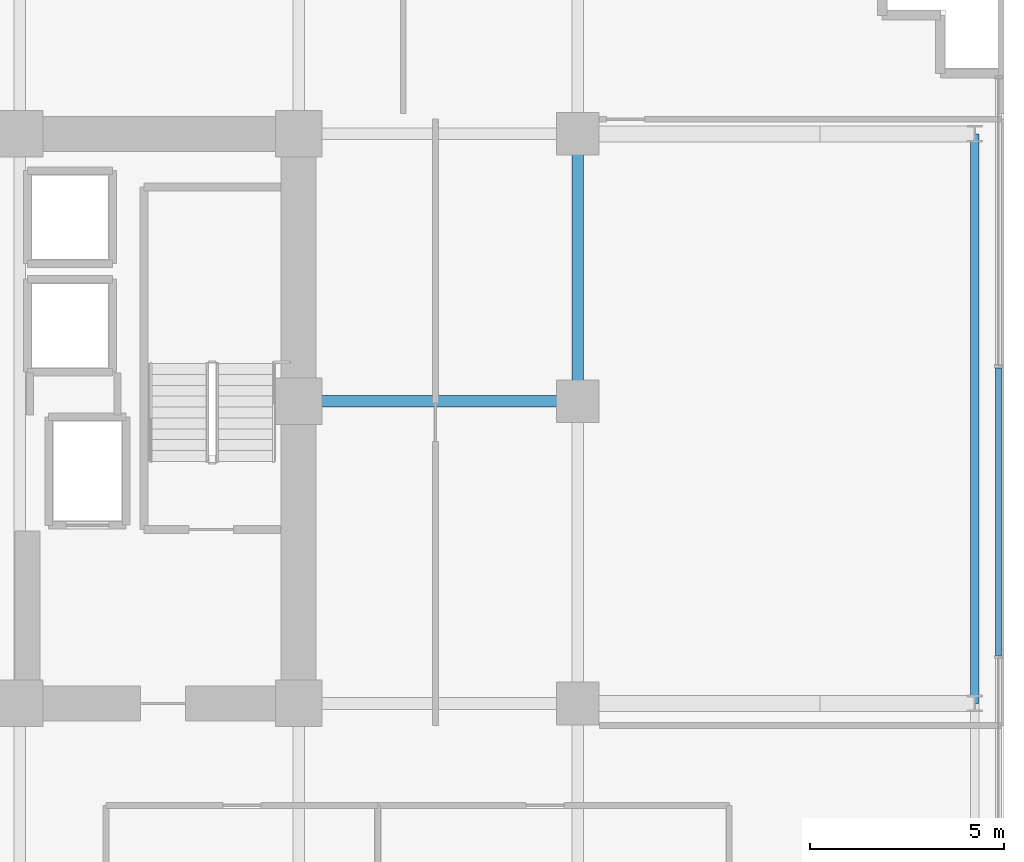
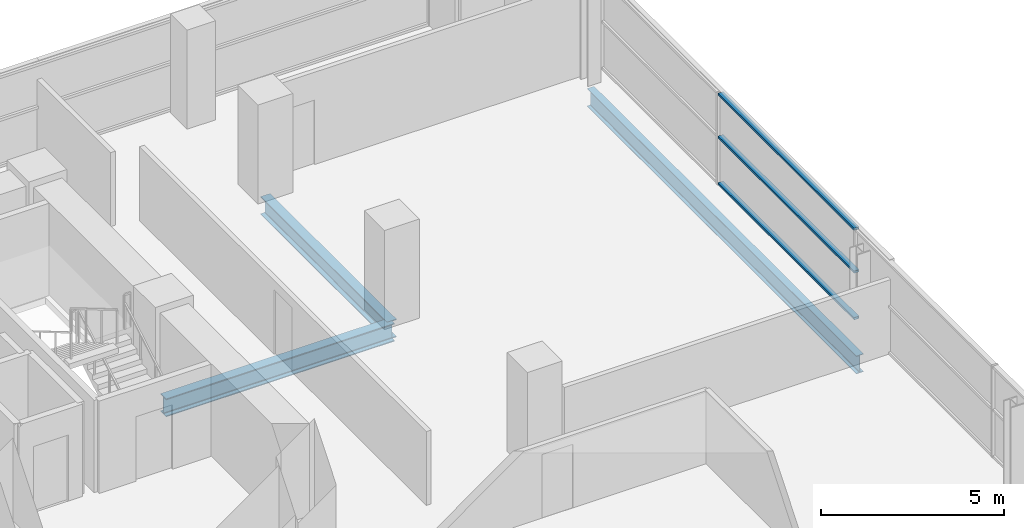
# One storey, part 16 of 31: 3 beams, 3 members, 1 element without a shape of its own.
"""IFC4 building model written with IfcOpenShell, lengths in metres."""

from ifc_helpers import new_model, si_unit, direction, frame, origin, origin_2d, place, context, subcontext, project, spatial, hollow_rectangle, i_section, extrude, source, transform, mapped, material, layer, layer_set, material_profile, profile_set, type_object, element, aggregate, save


model = new_model("IFC4")

# Units and contexts
model_context = context("Model", 3, precision=1e-05, world=origin(), true_north=direction((0.0, 1.0)))
body_context = subcontext(model_context, "Body", "Model", "MODEL_VIEW")
ifc_project = project(units=[si_unit("LENGTHUNIT", "METRE"), si_unit("AREAUNIT", "SQUARE_METRE"), si_unit("VOLUMEUNIT", "CUBIC_METRE"), si_unit("PLANEANGLEUNIT", "RADIAN"), si_unit("MASSUNIT", "GRAM", prefix="KILO")], contexts=[model_context])

# Site, building, storey
site_placement = place(None, origin())
site = spatial("IfcSite", under=ifc_project, at=site_placement, CompositionType="ELEMENT")
building_placement = place(site_placement, origin())
building = spatial("IfcBuilding", under=site, at=building_placement, Name="Zarnakvel Exchange Tower", CompositionType="ELEMENT")
storey_placement = place(building_placement, frame((0.0, 0.0, 53.800048828125)))
storey = spatial("IfcBuildingStorey", under=building, at=storey_placement, Name="L14", CompositionType="ELEMENT", Elevation=53.800048828125)

# Beams
ifc_material_1 = material(Name="Steel S355", Category="steel")
ifc_material_profile_1 = material_profile(ifc_material_1, i_section(OverallWidth=0.300048828125, OverallDepth=0.60009765625, WebThickness=0.015380859375, FlangeThickness=0.030029296875, FilletRadius=0.027099609375, at=origin_2d()))
ifc_profile_set_1 = profile_set([ifc_material_profile_1], Name="Steel S355")
beam_type_1 = type_object("IfcBeamType", Name="G-04", PredefinedType="BEAM", material=ifc_profile_set_1)
beam_1_placement = place(storey_placement, frame((14.39990234375, 6.60009765625, -0.525146484375), z_axis=(1.0, 0.0, 0.0), x_axis=(0.0, 1.0, 0.0)))
element("IfcBeam", 1, at=beam_1_placement, inside=storey, type_object=beam_type_1, Name="L14 Tower E-W Frame Beam", PredefinedType="BEAM", context=body_context, shape_type="SweptSolid", body=[
    extrude(i_section(OverallWidth=0.300048828125, OverallDepth=0.60009765625, WebThickness=0.015380859375, FlangeThickness=0.030029296875, FilletRadius=0.027099609375, at=origin_2d()), origin(), (0.0, 0.0, 1.0), 7.2001953125),
])
beam_2_placement = place(storey_placement, frame((21.60009765625, 6.60009765625, -0.525146484375), z_axis=(0.0, 1.0, 0.0), x_axis=(-1.0, 0.0, 0.0)))
element("IfcBeam", 2, at=beam_2_placement, inside=storey, type_object=beam_type_1, Name="L14 Tower N-S Frame Beam", PredefinedType="BEAM", context=body_context, shape_type="SweptSolid", body=[
    extrude(i_section(OverallWidth=0.300048828125, OverallDepth=0.60009765625, WebThickness=0.015380859375, FlangeThickness=0.030029296875, FilletRadius=0.027099609375, at=origin_2d()), origin(), (0.0, 0.0, 1.0), 6.89990234375),
])
ifc_material_profile_2 = material_profile(ifc_material_1, i_section(OverallWidth=0.219970703125, OverallDepth=0.60009765625, WebThickness=0.011962890625, FlangeThickness=0.01904296875, FilletRadius=0.02392578125, at=origin_2d()))
ifc_profile_set_2 = profile_set([ifc_material_profile_2], Name="Steel S355")
beam_type_2 = type_object("IfcBeamType", Name="SP-01", PredefinedType="SPANDREL", material=ifc_profile_set_2)
beam_3_placement = place(storey_placement, frame((31.85009765625, -1.199951171875, -0.525146484375), z_axis=(0.0, 1.0, 0.0), x_axis=(-1.0, 0.0, 0.0)))
element("IfcBeam", 3, at=beam_3_placement, inside=storey, type_object=beam_type_2, Name="L14 Tower N-S Frame Beam", PredefinedType="SPANDREL", context=body_context, shape_type="SweptSolid", body=[
    extrude(i_section(OverallWidth=0.219970703125, OverallDepth=0.60009765625, WebThickness=0.011962890625, FlangeThickness=0.01904296875, FilletRadius=0.02392578125, at=origin_2d()), origin(), (0.0, 0.0, 1.0), 14.699951171875),
])

# Curtain wall, members
ifc_material_2 = material(Name="Architectural Bronze Anodised Aluminium", Category="aluminium")
ifc_layer = layer(ifc_material_2, 0.199951171875)
ifc_layer_set = layer_set([ifc_layer], Name="Architectural Bronze Anodised Aluminium")
curtain_wall_type = type_object("IfcCurtainWallType", Name="CW-04", PredefinedType="NOTDEFINED", material=ifc_layer_set)
curtain_wall_placement = place(storey_placement, origin())
curtain_wall = element("IfcCurtainWall", 4, at=curtain_wall_placement, inside=storey, type_object=curtain_wall_type, Name="L14 Curtain Wall CW-L14-E1 (CW-04)", PredefinedType="NOTDEFINED")
ifc_material_profile_3 = material_profile(ifc_material_2, hollow_rectangle(XDim=0.159912109375, YDim=0.074951171875, WallThickness=0.00390625, at=origin_2d()))
ifc_profile_set_3 = profile_set([ifc_material_profile_3], Name="Architectural Bronze Anodised Aluminium")
member_type = type_object("IfcMemberType", Name="CWT-04", PredefinedType="USERDEFINED", material=ifc_profile_set_3)
shared_shape = source(origin(), body_context, "Body", "SweptSolid", [
    extrude(hollow_rectangle(XDim=0.159912109375, YDim=0.074951171875, WallThickness=0.00390625, at=origin_2d()), origin(), (0.0, 0.0, 1.0), 7.4248046875),
])
member_1_placement = place(storey_placement, frame((32.4599609375, 0.03759765625, 0.037353515625), z_axis=(0.0, 1.0, 0.0), x_axis=(-1.0, 0.0, 0.0)))
member_1 = element("IfcMember", 5, at=member_1_placement, type_object=member_type, Name="CW-04 transom 3.1", ObjectType="TRANSOM", PredefinedType="USERDEFINED", context=body_context, shape_type="MappedRepresentation", body=[
    mapped(shared_shape, transform((0.0, 0.0, 0.0), x_axis=(1.0, 0.0, 0.0), y_axis=(0.0, 1.0, 0.0), z_axis=(0.0, 0.0, 1.0), scale=1.0)),
])
member_2_placement = place(storey_placement, frame((32.4599609375, 0.03759765625, 1.588623046875), z_axis=(0.0, 1.0, 0.0), x_axis=(-1.0, 0.0, 0.0)))
member_2 = element("IfcMember", 6, at=member_2_placement, type_object=member_type, Name="CW-04 transom 3.2", ObjectType="TRANSOM", PredefinedType="USERDEFINED", context=body_context, shape_type="MappedRepresentation", body=[
    mapped(shared_shape, transform((0.0, 0.0, 0.0), x_axis=(1.0, 0.0, 0.0), y_axis=(0.0, 1.0, 0.0), z_axis=(0.0, 0.0, 1.0), scale=1.0)),
])
member_3_placement = place(storey_placement, frame((32.4599609375, 0.03759765625, 3.017333984375), z_axis=(0.0, 1.0, 0.0), x_axis=(-1.0, 0.0, 0.0)))
member_3 = element("IfcMember", 7, at=member_3_placement, type_object=member_type, Name="CW-04 transom 3.3", ObjectType="TRANSOM", PredefinedType="USERDEFINED", context=body_context, shape_type="MappedRepresentation", body=[
    mapped(shared_shape, transform((0.0, 0.0, 0.0), x_axis=(1.0, 0.0, 0.0), y_axis=(0.0, 1.0, 0.0), z_axis=(0.0, 0.0, 1.0), scale=1.0)),
])
aggregate(curtain_wall, [member_1, member_2, member_3])

save(model, "model.ifc")
